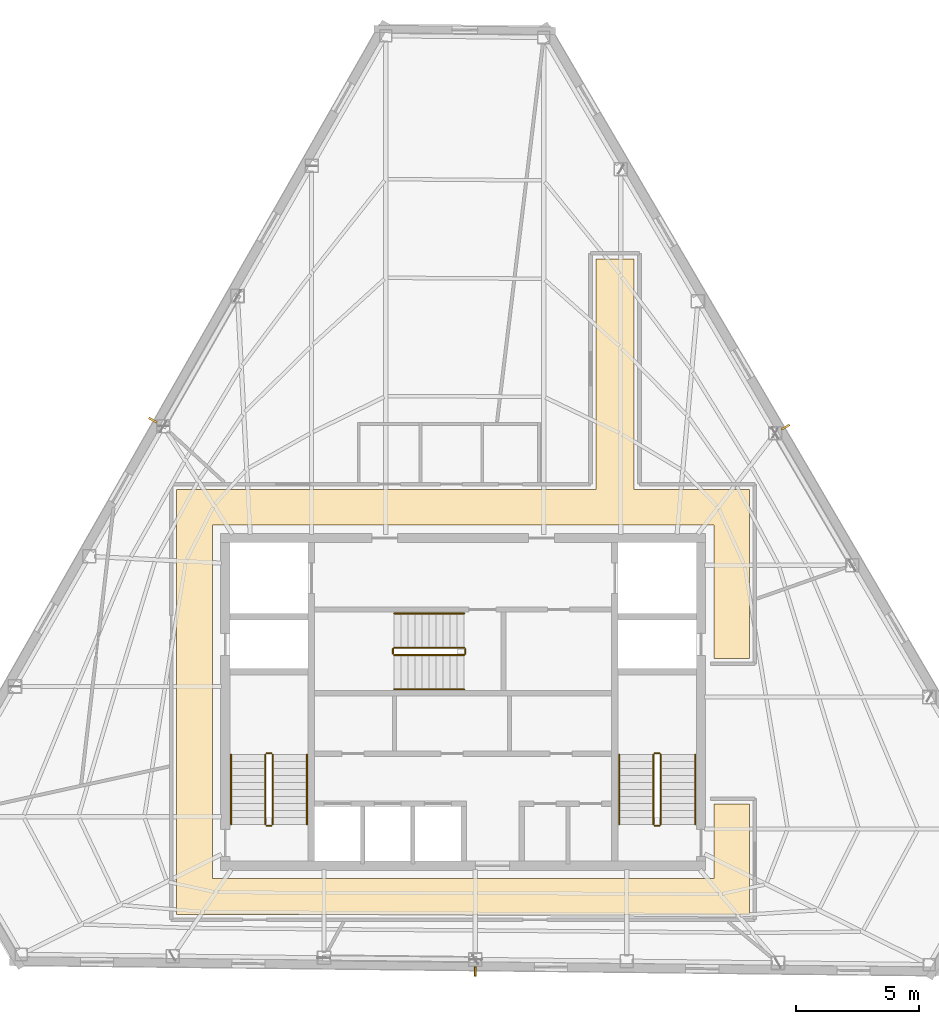
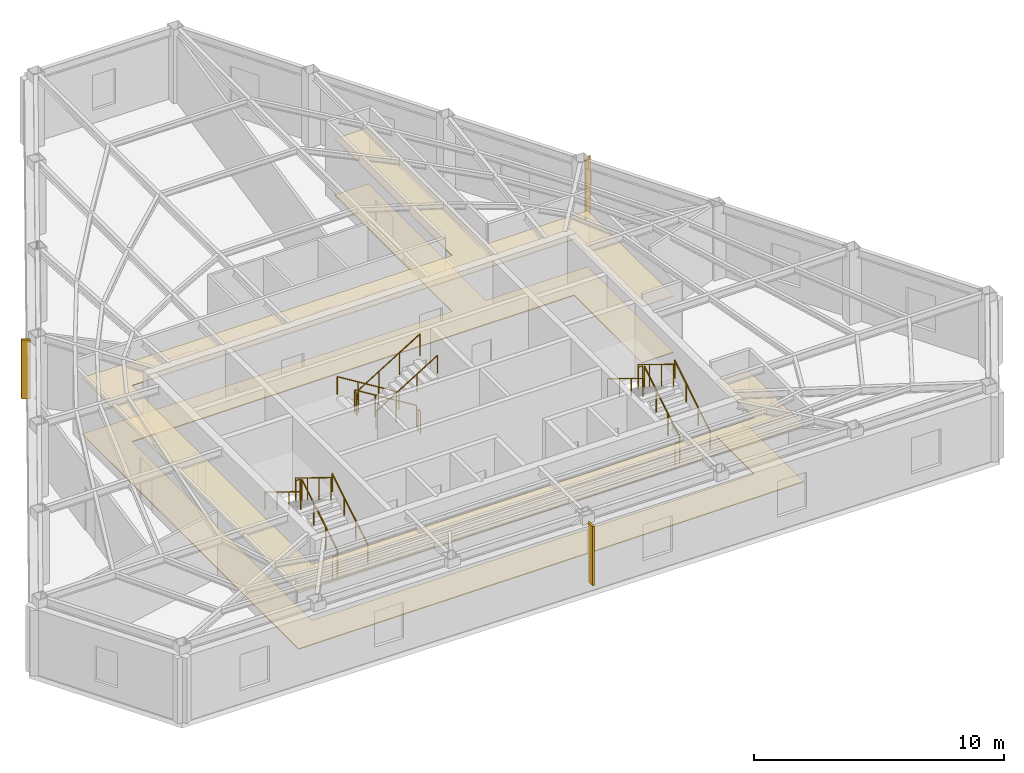
# One storey, part 10 of 10: 18 railings, 3 shading devices, 2 coverings.
"""IFC4 building model written with IfcOpenShell, lengths in metres."""

from ifc_helpers import new_model, si_unit, direction, frame, origin, origin_2d, place, context, subcontext, project, spatial, polyline, rectangle, circle, outline, extrude, material, layer, layer_set, type_object, element, save


model = new_model("IFC4")

# Units and contexts
model_context = context("Model", 3, precision=1e-05, world=origin(), true_north=direction((0.0, 1.0)))
body_context = subcontext(model_context, "Body", "Model", "MODEL_VIEW")
ifc_project = project(units=[si_unit("LENGTHUNIT", "METRE"), si_unit("AREAUNIT", "SQUARE_METRE"), si_unit("VOLUMEUNIT", "CUBIC_METRE"), si_unit("PLANEANGLEUNIT", "RADIAN"), si_unit("MASSUNIT", "GRAM", prefix="KILO")], contexts=[model_context])

# Site, building, storey
site_placement = place(None, origin())
site = spatial("IfcSite", under=ifc_project, at=site_placement, CompositionType="ELEMENT")
building_placement = place(site_placement, origin())
building = spatial("IfcBuilding", under=site, at=building_placement, Name="Kavelnor Concourse Tower", CompositionType="ELEMENT")
storey_placement = place(building_placement, frame((0.0, 0.0, 254.89990234375)))
storey = spatial("IfcBuildingStorey", under=building, at=storey_placement, Name="L64", CompositionType="ELEMENT", Elevation=254.89990234375)

# Coverings
ifc_material_1 = material(Name="Mineral fibre acoustic ceiling tile")
ifc_layer_1 = layer(ifc_material_1, 0.0400390625, Name="Mineral fibre acoustic ceiling tile")
ifc_layer_set_1 = layer_set([ifc_layer_1], Name="Mineral fibre acoustic ceiling tile")
covering_type_1 = type_object("IfcCoveringType", Name="COV-CEILING-ACOUSTIC", PredefinedType="CEILING", material=ifc_layer_set_1)
covering_1_placement = place(storey_placement, frame((0.0, 0.0, 2.75)))
element("IfcCovering", 1, at=covering_1_placement, inside=storey, type_object=covering_type_1, Name="L64 Suspended Acoustic Ceiling", PredefinedType="CEILING", context=body_context, shape_type="SweptSolid", body=[
    extrude(outline(polyline([(44.97998046875, 24.77001953125), (49.68994140625, 24.77001953125), (49.68994140625, 17.8701171875), (48.22998046875, 17.8701171875), (48.22998046875, 23.31005859375), (27.77001953125, 23.31005859375), (27.77001953125, 8.889892578125), (48.22998046875, 8.889892578125), (48.22998046875, 11.929931640625), (49.68994140625, 11.929931640625), (49.68994140625, 7.429931640625), (26.31005859375, 7.429931640625), (26.31005859375, 24.77001953125), (43.419921875, 24.77001953125), (43.419921875, 34.179931640625), (44.97998046875, 34.179931640625), (44.97998046875, 24.77001953125)])), origin(), (0.0, 0.0, 1.0), 0.0400390625),
])
ifc_material_2 = material(Name="Honed bluestone and raised access floor finish", Category="masonry")
ifc_layer_2 = layer(ifc_material_2, 0.0400390625, Name="Honed bluestone and raised access floor finish")
ifc_layer_set_2 = layer_set([ifc_layer_2], Name="Honed bluestone and raised access floor finish")
covering_type_2 = type_object("IfcCoveringType", Name="COV-FLOOR-STONE", PredefinedType="FLOORING", material=ifc_layer_set_2)
covering_2_placement = place(storey_placement, frame((0.0, 0.0, 0.002197265625)))
element("IfcCovering", 2, at=covering_2_placement, inside=storey, type_object=covering_type_2, Name="L64 Honed Bluestone Floor Finish", PredefinedType="FLOORING", context=body_context, shape_type="SweptSolid", body=[
    extrude(outline(polyline([(44.97998046875, 24.77001953125), (49.68994140625, 24.77001953125), (49.68994140625, 17.8701171875), (48.22998046875, 17.8701171875), (48.22998046875, 23.31005859375), (27.77001953125, 23.31005859375), (27.77001953125, 8.889892578125), (48.22998046875, 8.889892578125), (48.22998046875, 11.929931640625), (49.68994140625, 11.929931640625), (49.68994140625, 7.429931640625), (26.31005859375, 7.429931640625), (26.31005859375, 24.77001953125), (43.419921875, 24.77001953125), (43.419921875, 34.179931640625), (44.97998046875, 34.179931640625), (44.97998046875, 24.77001953125)])), origin(), (0.0, 0.0, 1.0), 0.039794921875),
])

# Railings
ifc_material_3 = material(Name="Steel Grade 350", Category="steel")
railing_type_1 = type_object("IfcRailingType", Name="RLG-GUARD-1100", PredefinedType="GUARDRAIL", material=ifc_material_3)
railing_1_placement = place(storey_placement, frame((30.22998046875, 11.10009765625, 0.175048828125)))
element("IfcRailing", 3, at=railing_1_placement, inside=storey, type_object=railing_type_1, Name="L64 ST1 stair guard 1", PredefinedType="GUARDRAIL", context=body_context, shape_type="SweptSolid", body=[
    extrude(circle(Radius=0.02392578125, at=origin_2d()), frame((0.0, 0.0, 1.076171875), z_axis=(0.0, 0.852159232446, 0.523282564737), x_axis=(-1.0, 0.0, 0.0)), (0.0, 0.0, 1.0), 3.34423828125),
    extrude(circle(Radius=0.02099609375, at=origin_2d()), origin(), (0.0, 0.0, 1.0), 1.052001953125),
    extrude(circle(Radius=0.02099609375, at=origin_2d()), frame((0.0, 0.949951171875, 0.583251953125)), (0.0, 0.0, 1.0), 1.052001953125),
    extrude(circle(Radius=0.02099609375, at=origin_2d()), frame((0.0, 1.89990234375, 1.166748046875)), (0.0, 0.0, 1.0), 1.052001953125),
    extrude(circle(Radius=0.02099609375, at=origin_2d()), frame((0.0, 2.849853515625, 1.75)), (0.0, 0.0, 1.0), 1.052001953125),
])
railing_2_placement = place(storey_placement, frame((30.179931640625, 14.0, 1.925048828125)))
element("IfcRailing", 4, at=railing_2_placement, inside=storey, type_object=railing_type_1, Name="L64 ST1 stair guard 2", PredefinedType="GUARDRAIL", context=body_context, shape_type="SweptSolid", body=[
    extrude(circle(Radius=0.02392578125, at=origin_2d()), frame((0.0, 0.0, 1.076171875), z_axis=(-1.0, 0.0, 0.0), x_axis=(0.0, -1.0, 0.0)), (0.0, 0.0, 1.0), 0.199951171875),
    extrude(circle(Radius=0.02099609375, at=origin_2d()), origin(), (0.0, 0.0, 1.0), 1.052001953125),
    extrude(circle(Radius=0.02099609375, at=origin_2d()), frame((-0.199951171875, 0.0, 0.0)), (0.0, 0.0, 1.0), 1.052001953125),
])
railing_3_placement = place(storey_placement, frame((29.929931640625, 13.949951171875, 2.10009765625)))
element("IfcRailing", 5, at=railing_3_placement, inside=storey, type_object=railing_type_1, Name="L64 ST1 stair guard 3", PredefinedType="GUARDRAIL", context=body_context, shape_type="SweptSolid", body=[
    extrude(circle(Radius=0.02392578125, at=origin_2d()), frame((0.0, 0.0, 1.076171875), z_axis=(0.0, -0.852159232446, 0.523282564737), x_axis=(1.0, 0.0, 0.0)), (0.0, 0.0, 1.0), 3.34423828125),
    extrude(circle(Radius=0.02099609375, at=origin_2d()), origin(), (0.0, 0.0, 1.0), 1.052001953125),
    extrude(circle(Radius=0.02099609375, at=origin_2d()), frame((0.0, -0.949951171875, 0.583251953125)), (0.0, 0.0, 1.0), 1.052001953125),
    extrude(circle(Radius=0.02099609375, at=origin_2d()), frame((0.0, -1.89990234375, 1.166748046875)), (0.0, 0.0, 1.0), 1.052001953125),
    extrude(circle(Radius=0.02099609375, at=origin_2d()), frame((0.0, -2.849853515625, 1.75)), (0.0, 0.0, 1.0), 1.052001953125),
])
railing_4_placement = place(storey_placement, frame((30.179931640625, 11.050048828125, 0.0)))
element("IfcRailing", 6, at=railing_4_placement, inside=storey, type_object=railing_type_1, Name="L64 ST1 stair guard 4", PredefinedType="GUARDRAIL", context=body_context, shape_type="SweptSolid", body=[
    extrude(circle(Radius=0.02392578125, at=origin_2d()), frame((0.0, 0.0, 1.076171875), z_axis=(-1.0, 0.0, 0.0), x_axis=(0.0, -1.0, 0.0)), (0.0, 0.0, 1.0), 0.199951171875),
    extrude(circle(Radius=0.02099609375, at=origin_2d()), origin(), (0.0, 0.0, 1.0), 1.052001953125),
    extrude(circle(Radius=0.02099609375, at=origin_2d()), frame((-0.199951171875, 0.0, 0.0)), (0.0, 0.0, 1.0), 1.052001953125),
])
railing_5_placement = place(storey_placement, frame((46.070068359375, 11.10009765625, 0.175048828125)))
element("IfcRailing", 7, at=railing_5_placement, inside=storey, type_object=railing_type_1, Name="L64 ST2 stair guard 1", PredefinedType="GUARDRAIL", context=body_context, shape_type="SweptSolid", body=[
    extrude(circle(Radius=0.02392578125, at=origin_2d()), frame((0.0, 0.0, 1.076171875), z_axis=(0.0, 0.852159232446, 0.523282564737), x_axis=(-1.0, 0.0, 0.0)), (0.0, 0.0, 1.0), 3.34423828125),
    extrude(circle(Radius=0.02099609375, at=origin_2d()), origin(), (0.0, 0.0, 1.0), 1.052001953125),
    extrude(circle(Radius=0.02099609375, at=origin_2d()), frame((0.0, 0.949951171875, 0.583251953125)), (0.0, 0.0, 1.0), 1.052001953125),
    extrude(circle(Radius=0.02099609375, at=origin_2d()), frame((0.0, 1.89990234375, 1.166748046875)), (0.0, 0.0, 1.0), 1.052001953125),
    extrude(circle(Radius=0.02099609375, at=origin_2d()), frame((0.0, 2.849853515625, 1.75)), (0.0, 0.0, 1.0), 1.052001953125),
])
railing_6_placement = place(storey_placement, frame((46.02001953125, 14.0, 1.925048828125)))
element("IfcRailing", 8, at=railing_6_placement, inside=storey, type_object=railing_type_1, Name="L64 ST2 stair guard 2", PredefinedType="GUARDRAIL", context=body_context, shape_type="SweptSolid", body=[
    extrude(circle(Radius=0.02392578125, at=origin_2d()), frame((0.0, 0.0, 1.076171875), z_axis=(-1.0, 0.0, 0.0), x_axis=(0.0, -1.0, 0.0)), (0.0, 0.0, 1.0), 0.199951171875),
    extrude(circle(Radius=0.02099609375, at=origin_2d()), origin(), (0.0, 0.0, 1.0), 1.052001953125),
    extrude(circle(Radius=0.02099609375, at=origin_2d()), frame((-0.199951171875, 0.0, 0.0)), (0.0, 0.0, 1.0), 1.052001953125),
])
railing_7_placement = place(storey_placement, frame((45.77001953125, 13.949951171875, 2.10009765625)))
element("IfcRailing", 9, at=railing_7_placement, inside=storey, type_object=railing_type_1, Name="L64 ST2 stair guard 3", PredefinedType="GUARDRAIL", context=body_context, shape_type="SweptSolid", body=[
    extrude(circle(Radius=0.02392578125, at=origin_2d()), frame((0.0, 0.0, 1.076171875), z_axis=(0.0, -0.852159232446, 0.523282564737), x_axis=(1.0, 0.0, 0.0)), (0.0, 0.0, 1.0), 3.34423828125),
    extrude(circle(Radius=0.02099609375, at=origin_2d()), origin(), (0.0, 0.0, 1.0), 1.052001953125),
    extrude(circle(Radius=0.02099609375, at=origin_2d()), frame((0.0, -0.949951171875, 0.583251953125)), (0.0, 0.0, 1.0), 1.052001953125),
    extrude(circle(Radius=0.02099609375, at=origin_2d()), frame((0.0, -1.89990234375, 1.166748046875)), (0.0, 0.0, 1.0), 1.052001953125),
    extrude(circle(Radius=0.02099609375, at=origin_2d()), frame((0.0, -2.849853515625, 1.75)), (0.0, 0.0, 1.0), 1.052001953125),
])
railing_8_placement = place(storey_placement, frame((46.02001953125, 11.050048828125, 0.0)))
element("IfcRailing", 10, at=railing_8_placement, inside=storey, type_object=railing_type_1, Name="L64 ST2 stair guard 4", PredefinedType="GUARDRAIL", context=body_context, shape_type="SweptSolid", body=[
    extrude(circle(Radius=0.02392578125, at=origin_2d()), frame((0.0, 0.0, 1.076171875), z_axis=(-1.0, 0.0, 0.0), x_axis=(0.0, -1.0, 0.0)), (0.0, 0.0, 1.0), 0.199951171875),
    extrude(circle(Radius=0.02099609375, at=origin_2d()), origin(), (0.0, 0.0, 1.0), 1.052001953125),
    extrude(circle(Radius=0.02099609375, at=origin_2d()), frame((-0.199951171875, 0.0, 0.0)), (0.0, 0.0, 1.0), 1.052001953125),
])
railing_9_placement = place(storey_placement, frame((38.0400390625, 18.31005859375, 0.175048828125)))
element("IfcRailing", 11, at=railing_9_placement, inside=storey, type_object=railing_type_1, Name="L64 ST3 stair guard 1", PredefinedType="GUARDRAIL", context=body_context, shape_type="SweptSolid", body=[
    extrude(circle(Radius=0.02392578125, at=origin_2d()), frame((0.0, 0.0, 1.076171875), z_axis=(-0.852179220489, 0.0, 0.52325001306), x_axis=(0.0, -1.0, 0.0)), (0.0, 0.0, 1.0), 3.344482421875),
    extrude(circle(Radius=0.02099609375, at=origin_2d()), origin(), (0.0, 0.0, 1.0), 1.052001953125),
    extrude(circle(Radius=0.02099609375, at=origin_2d()), frame((-0.949951171875, 0.0, 0.583251953125)), (0.0, 0.0, 1.0), 1.052001953125),
    extrude(circle(Radius=0.02099609375, at=origin_2d()), frame((-1.900146484375, 0.0, 1.166748046875)), (0.0, 0.0, 1.0), 1.052001953125),
    extrude(circle(Radius=0.02099609375, at=origin_2d()), frame((-2.85009765625, 0.0, 1.75)), (0.0, 0.0, 1.0), 1.052001953125),
])
railing_10_placement = place(storey_placement, frame((35.139892578125, 18.260009765625, 1.925048828125)))
element("IfcRailing", 12, at=railing_10_placement, inside=storey, type_object=railing_type_1, Name="L64 ST3 stair guard 2", PredefinedType="GUARDRAIL", context=body_context, shape_type="SweptSolid", body=[
    extrude(circle(Radius=0.02392578125, at=origin_2d()), frame((0.0, 0.0, 1.076171875), z_axis=(0.0, -1.0, 0.0), x_axis=(1.0, 0.0, 0.0)), (0.0, 0.0, 1.0), 0.199951171875),
    extrude(circle(Radius=0.02099609375, at=origin_2d()), origin(), (0.0, 0.0, 1.0), 1.052001953125),
    extrude(circle(Radius=0.02099609375, at=origin_2d()), frame((0.0, -0.199951171875, 0.0)), (0.0, 0.0, 1.0), 1.052001953125),
])
railing_11_placement = place(storey_placement, frame((35.18994140625, 18.010009765625, 2.10009765625)))
element("IfcRailing", 13, at=railing_11_placement, inside=storey, type_object=railing_type_1, Name="L64 ST3 stair guard 3", PredefinedType="GUARDRAIL", context=body_context, shape_type="SweptSolid", body=[
    extrude(circle(Radius=0.02392578125, at=origin_2d()), frame((0.0, 0.0, 1.076171875), z_axis=(0.852179220489, 0.0, 0.52325001306), x_axis=(0.0, 1.0, 0.0)), (0.0, 0.0, 1.0), 3.344482421875),
    extrude(circle(Radius=0.02099609375, at=origin_2d()), origin(), (0.0, 0.0, 1.0), 1.052001953125),
    extrude(circle(Radius=0.02099609375, at=origin_2d()), frame((0.949951171875, 0.0, 0.583251953125)), (0.0, 0.0, 1.0), 1.052001953125),
    extrude(circle(Radius=0.02099609375, at=origin_2d()), frame((1.900146484375, 0.0, 1.166748046875)), (0.0, 0.0, 1.0), 1.052001953125),
    extrude(circle(Radius=0.02099609375, at=origin_2d()), frame((2.85009765625, 0.0, 1.75)), (0.0, 0.0, 1.0), 1.052001953125),
])
railing_12_placement = place(storey_placement, frame((38.090087890625, 18.260009765625, 0.0)))
element("IfcRailing", 14, at=railing_12_placement, inside=storey, type_object=railing_type_1, Name="L64 ST3 stair guard 4", PredefinedType="GUARDRAIL", context=body_context, shape_type="SweptSolid", body=[
    extrude(circle(Radius=0.02392578125, at=origin_2d()), frame((0.0, 0.0, 1.076171875), z_axis=(0.0, -1.0, 0.0), x_axis=(1.0, 0.0, 0.0)), (0.0, 0.0, 1.0), 0.199951171875),
    extrude(circle(Radius=0.02099609375, at=origin_2d()), origin(), (0.0, 0.0, 1.0), 1.052001953125),
    extrude(circle(Radius=0.02099609375, at=origin_2d()), frame((0.0, -0.199951171875, 0.0)), (0.0, 0.0, 1.0), 1.052001953125),
])
railing_type_2 = type_object("IfcRailingType", Name="RLG-HANDRAIL-900", PredefinedType="HANDRAIL", material=ifc_material_3)
railing_13_placement = place(storey_placement, frame((31.6298828125, 11.10009765625, 0.175048828125)))
element("IfcRailing", 15, at=railing_13_placement, inside=storey, type_object=railing_type_2, Name="L64 ST1 stair handrail 1", PredefinedType="HANDRAIL", context=body_context, shape_type="SweptSolid", body=[
    extrude(circle(Radius=0.02392578125, at=origin_2d()), frame((0.0, 0.0, 0.8759765625), z_axis=(0.0, 0.852159232446, 0.523282564737), x_axis=(-1.0, 0.0, 0.0)), (0.0, 0.0, 1.0), 3.34423828125),
    extrude(circle(Radius=0.02099609375, at=origin_2d()), origin(), (0.0, 0.0, 1.0), 0.851806640625),
    extrude(circle(Radius=0.02099609375, at=origin_2d()), frame((0.0, 0.949951171875, 0.583251953125)), (0.0, 0.0, 1.0), 0.851806640625),
    extrude(circle(Radius=0.02099609375, at=origin_2d()), frame((0.0, 1.89990234375, 1.166748046875)), (0.0, 0.0, 1.0), 0.851806640625),
    extrude(circle(Radius=0.02099609375, at=origin_2d()), frame((0.0, 2.849853515625, 1.75)), (0.0, 0.0, 1.0), 0.851806640625),
])
railing_14_placement = place(storey_placement, frame((28.530029296875, 13.949951171875, 2.10009765625)))
element("IfcRailing", 16, at=railing_14_placement, inside=storey, type_object=railing_type_2, Name="L64 ST1 stair handrail 2", PredefinedType="HANDRAIL", context=body_context, shape_type="SweptSolid", body=[
    extrude(circle(Radius=0.02392578125, at=origin_2d()), frame((0.0, 0.0, 0.8759765625), z_axis=(0.0, -0.852159232446, 0.523282564737), x_axis=(1.0, 0.0, 0.0)), (0.0, 0.0, 1.0), 3.34423828125),
    extrude(circle(Radius=0.02099609375, at=origin_2d()), origin(), (0.0, 0.0, 1.0), 0.851806640625),
    extrude(circle(Radius=0.02099609375, at=origin_2d()), frame((0.0, -0.949951171875, 0.583251953125)), (0.0, 0.0, 1.0), 0.851806640625),
    extrude(circle(Radius=0.02099609375, at=origin_2d()), frame((0.0, -1.89990234375, 1.166748046875)), (0.0, 0.0, 1.0), 0.851806640625),
    extrude(circle(Radius=0.02099609375, at=origin_2d()), frame((0.0, -2.849853515625, 1.75)), (0.0, 0.0, 1.0), 0.851806640625),
])
railing_15_placement = place(storey_placement, frame((47.469970703125, 11.10009765625, 0.175048828125)))
element("IfcRailing", 17, at=railing_15_placement, inside=storey, type_object=railing_type_2, Name="L64 ST2 stair handrail 1", PredefinedType="HANDRAIL", context=body_context, shape_type="SweptSolid", body=[
    extrude(circle(Radius=0.02392578125, at=origin_2d()), frame((0.0, 0.0, 0.8759765625), z_axis=(0.0, 0.852159232446, 0.523282564737), x_axis=(-1.0, 0.0, 0.0)), (0.0, 0.0, 1.0), 3.34423828125),
    extrude(circle(Radius=0.02099609375, at=origin_2d()), origin(), (0.0, 0.0, 1.0), 0.851806640625),
    extrude(circle(Radius=0.02099609375, at=origin_2d()), frame((0.0, 0.949951171875, 0.583251953125)), (0.0, 0.0, 1.0), 0.851806640625),
    extrude(circle(Radius=0.02099609375, at=origin_2d()), frame((0.0, 1.89990234375, 1.166748046875)), (0.0, 0.0, 1.0), 0.851806640625),
    extrude(circle(Radius=0.02099609375, at=origin_2d()), frame((0.0, 2.849853515625, 1.75)), (0.0, 0.0, 1.0), 0.851806640625),
])
railing_16_placement = place(storey_placement, frame((44.3701171875, 13.949951171875, 2.10009765625)))
element("IfcRailing", 18, at=railing_16_placement, inside=storey, type_object=railing_type_2, Name="L64 ST2 stair handrail 2", PredefinedType="HANDRAIL", context=body_context, shape_type="SweptSolid", body=[
    extrude(circle(Radius=0.02392578125, at=origin_2d()), frame((0.0, 0.0, 0.8759765625), z_axis=(0.0, -0.852159232446, 0.523282564737), x_axis=(1.0, 0.0, 0.0)), (0.0, 0.0, 1.0), 3.34423828125),
    extrude(circle(Radius=0.02099609375, at=origin_2d()), origin(), (0.0, 0.0, 1.0), 0.851806640625),
    extrude(circle(Radius=0.02099609375, at=origin_2d()), frame((0.0, -0.949951171875, 0.583251953125)), (0.0, 0.0, 1.0), 0.851806640625),
    extrude(circle(Radius=0.02099609375, at=origin_2d()), frame((0.0, -1.89990234375, 1.166748046875)), (0.0, 0.0, 1.0), 0.851806640625),
    extrude(circle(Radius=0.02099609375, at=origin_2d()), frame((0.0, -2.849853515625, 1.75)), (0.0, 0.0, 1.0), 0.851806640625),
])
railing_17_placement = place(storey_placement, frame((38.0400390625, 19.7099609375, 0.175048828125)))
element("IfcRailing", 19, at=railing_17_placement, inside=storey, type_object=railing_type_2, Name="L64 ST3 stair handrail 1", PredefinedType="HANDRAIL", context=body_context, shape_type="SweptSolid", body=[
    extrude(circle(Radius=0.02392578125, at=origin_2d()), frame((0.0, 0.0, 0.8759765625), z_axis=(-0.852179220489, 0.0, 0.52325001306), x_axis=(0.0, -1.0, 0.0)), (0.0, 0.0, 1.0), 3.344482421875),
    extrude(circle(Radius=0.02099609375, at=origin_2d()), origin(), (0.0, 0.0, 1.0), 0.851806640625),
    extrude(circle(Radius=0.02099609375, at=origin_2d()), frame((-0.949951171875, 0.0, 0.583251953125)), (0.0, 0.0, 1.0), 0.851806640625),
    extrude(circle(Radius=0.02099609375, at=origin_2d()), frame((-1.900146484375, 0.0, 1.166748046875)), (0.0, 0.0, 1.0), 0.851806640625),
    extrude(circle(Radius=0.02099609375, at=origin_2d()), frame((-2.85009765625, 0.0, 1.75)), (0.0, 0.0, 1.0), 0.851806640625),
])
railing_18_placement = place(storey_placement, frame((35.18994140625, 16.610107421875, 2.10009765625)))
element("IfcRailing", 20, at=railing_18_placement, inside=storey, type_object=railing_type_2, Name="L64 ST3 stair handrail 2", PredefinedType="HANDRAIL", context=body_context, shape_type="SweptSolid", body=[
    extrude(circle(Radius=0.02392578125, at=origin_2d()), frame((0.0, 0.0, 0.8759765625), z_axis=(0.852179220489, 0.0, 0.52325001306), x_axis=(0.0, 1.0, 0.0)), (0.0, 0.0, 1.0), 3.344482421875),
    extrude(circle(Radius=0.02099609375, at=origin_2d()), origin(), (0.0, 0.0, 1.0), 0.851806640625),
    extrude(circle(Radius=0.02099609375, at=origin_2d()), frame((0.949951171875, 0.0, 0.583251953125)), (0.0, 0.0, 1.0), 0.851806640625),
    extrude(circle(Radius=0.02099609375, at=origin_2d()), frame((1.900146484375, 0.0, 1.166748046875)), (0.0, 0.0, 1.0), 0.851806640625),
    extrude(circle(Radius=0.02099609375, at=origin_2d()), frame((2.85009765625, 0.0, 1.75)), (0.0, 0.0, 1.0), 0.851806640625),
])

# Shading devices
ifc_material_4 = material(Name="Architectural bronze-anodised aluminium", Category="aluminium")
ifc_layer_3 = layer(ifc_material_4, 0.06005859375, Name="Architectural bronze-anodised aluminium")
ifc_layer_set_3 = layer_set([ifc_layer_3], Name="Architectural bronze-anodised aluminium")
shading_device_type = type_object("IfcShadingDeviceType", Name="SHD-SOLAR-FIN", PredefinedType="JALOUSIE", material=ifc_layer_set_3)
for number, where, z_axis, x_axis, name in (
    (21, (25.340087890625, 27.5947265625, 0.400146484375), (0.0, 0.0, 1.0), (-0.868804409216, 0.495155428655, 0.0), "L64 Bronze Pier Solar Fin F0"),
    (22, (38.494873046875, 5.094482421875, 0.400146484375), (0.0, 0.0, 1.0), (-0.011169874929, -0.999937615001, 0.0), "L64 Bronze Pier Solar Fin F1"),
    (23, (51.157470703125, 27.310791015625, 0.400146484375), (0.0, 0.0, 1.0), (0.863219384645, 0.504828974973, 0.0), "L64 Bronze Pier Solar Fin F2"),
):
    element("IfcShadingDevice", number, at=place(storey_placement, frame(where, z_axis=z_axis, x_axis=x_axis)), inside=storey, type_object=shading_device_type, Name=name, PredefinedType="JALOUSIE", context=body_context, shape_type="SweptSolid", body=[
        extrude(rectangle(XDim=0.3798828125, YDim=0.080078125, at=origin_2d()), origin(), (0.0, 0.0, 1.0), 2.89990234375),
    ])

save(model, "model.ifc")
